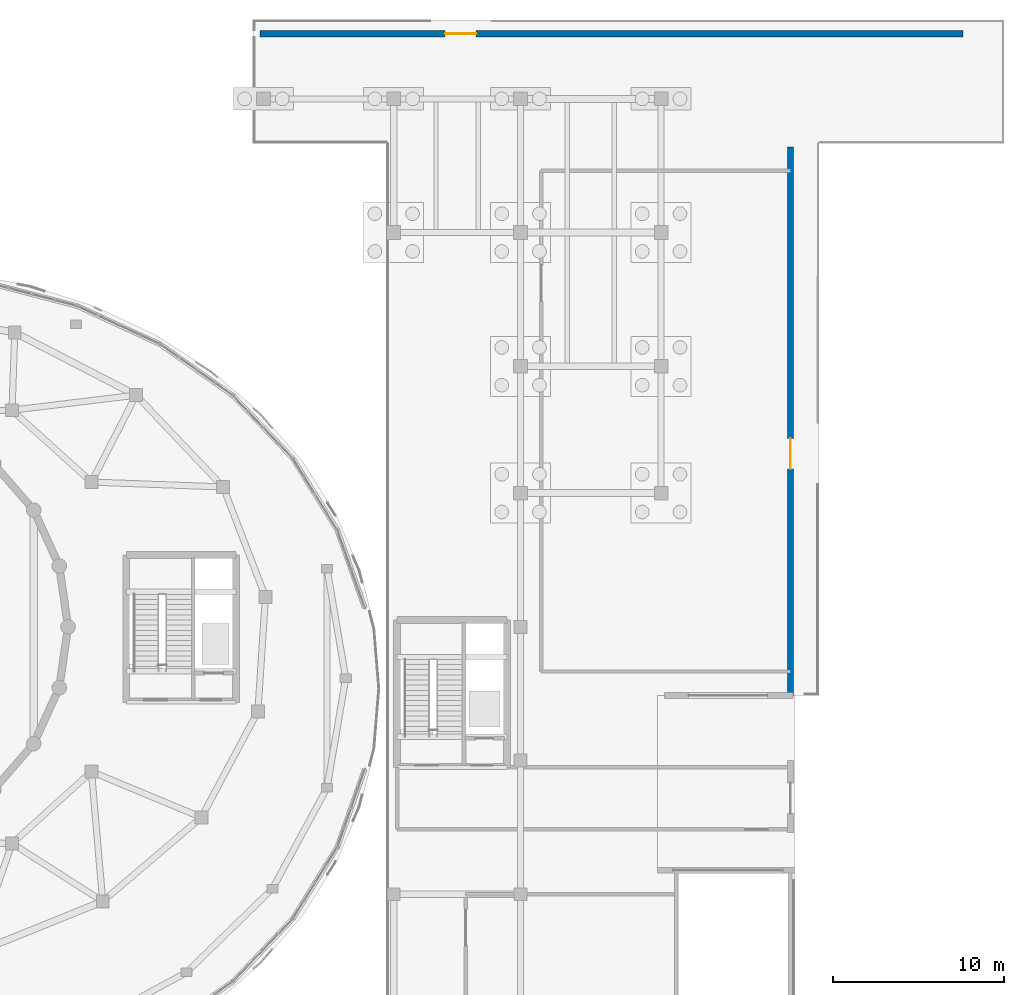
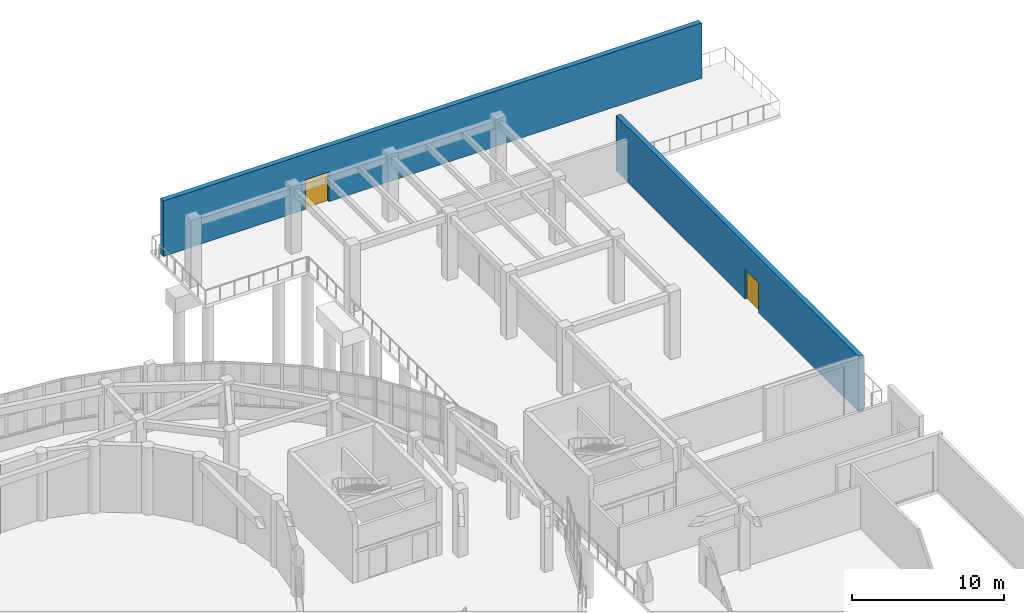
# One storey, part 79 of 96: 2 doors, 2 walls, 2 openings.
"""IFC4 building model written with IfcOpenShell, lengths in metres."""

from ifc_helpers import new_model, si_unit, direction, frame, frame_2d, origin, place, context, subcontext, project, spatial, rectangle, extrude, material, layer, layer_set, type_object, element, fill, save


model = new_model("IFC4")

# Units and contexts
model_context = context("Model", 3, precision=1e-05, world=origin(), true_north=direction((0.0, 1.0)))
body_context = subcontext(model_context, "Body", "Model", "MODEL_VIEW")
ifc_project = project(units=[si_unit("LENGTHUNIT", "METRE"), si_unit("AREAUNIT", "SQUARE_METRE"), si_unit("VOLUMEUNIT", "CUBIC_METRE"), si_unit("PLANEANGLEUNIT", "RADIAN"), si_unit("MASSUNIT", "GRAM", prefix="KILO")], contexts=[model_context])

# Site, building, storey
site_placement = place(None, origin())
site = spatial("IfcSite", under=ifc_project, at=site_placement, CompositionType="ELEMENT")
building_placement = place(site_placement, origin())
building = spatial("IfcBuilding", under=site, at=building_placement, Name="Pelvatis Terrace Science Centre", CompositionType="ELEMENT")
storey_placement = place(building_placement, origin())
storey = spatial("IfcBuildingStorey", under=building, at=storey_placement, Name="L00", CompositionType="ELEMENT", Elevation=0.0)

# Wall, opening, door
ifc_material_1 = material(Name="Polished black Uruguayan granite masonry", Category="masonry")
ifc_layer_1 = layer(ifc_material_1, 0.364990234375)
ifc_layer_set_1 = layer_set([ifc_layer_1], Name="Polished black Uruguayan granite masonry")
wall_type_1 = type_object("IfcWallType", Name="WL-EXT-GRAN-365", PredefinedType="SOLIDWALL", material=ifc_layer_set_1)
wall_1_placement = place(storey_placement, frame((163.949951171875, 113.800048828125, 0.0), z_axis=(0.0, 0.0, 1.0), x_axis=(0.0, -1.0, 0.0)))
wall_1 = element("IfcWall", 1, at=wall_1_placement, inside=storey, type_object=wall_type_1, Name="L00 exterior wall EW-L00-E1", PredefinedType="SOLIDWALL", context=body_context, shape_type="SweptSolid", body=[
    extrude(rectangle(XDim=32.0, YDim=0.364990234375, at=frame_2d((16.0, 0.0))), origin(), (0.0, 0.0, 1.0), 4.4599609375),
])
opening_1_placement = place(wall_1_placement, frame((17.0, 0.0, 0.0)))
opening_1 = element("IfcOpeningElement", 2, at=opening_1_placement, cuts=wall_1, Name="Opening D-010", PredefinedType="OPENING", context=body_context, shape_type="SweptSolid", body=[
    extrude(rectangle(XDim=1.800048828125, YDim=2.39990234375, at=frame_2d((0.89990234375, 1.199951171875))), frame((0.0, 0.1923828125, 0.0), z_axis=(0.0, -1.0, 0.0), x_axis=(1.0, 0.0, 0.0)), (0.0, 0.0, 1.0), 0.385009765625),
])
ifc_material_2 = material(Name="Bronze-framed glazed double exit door", Category="glass")
door_type = type_object("IfcDoorType", Name="DR-EXT-1800x2400", OperationType="NOTDEFINED", PredefinedType="DOOR", material=ifc_material_2)
door_1_placement = place(opening_1_placement, origin())
door_1 = element("IfcDoor", 3, at=door_1_placement, inside=storey, type_object=door_type, Name="East colonnade workshop exit door D-010", OperationType="DOUBLE_DOOR_SINGLE_SWING", OverallHeight=2.39990234375, OverallWidth=1.800048828125, PredefinedType="DOOR", context=body_context, shape_type="SweptSolid", body=[
    extrude(rectangle(XDim=1.800048828125, YDim=2.39990234375, at=frame_2d((0.89990234375, 1.199951171875))), frame((0.0, 0.02490234375, 0.0), z_axis=(0.0, -1.0, 0.0), x_axis=(1.0, 0.0, 0.0)), (0.0, 0.0, 1.0), 0.050048828125),
])
fill(opening_1, door_1)

ifc_material_3 = material(Name="Polished black Uruguayan granite masonry", Category="masonry")
ifc_layer_2 = layer(ifc_material_3, 0.3798828125)
ifc_layer_set_2 = layer_set([ifc_layer_2], Name="Polished black Uruguayan granite masonry")
wall_type_2 = type_object("IfcWallType", Name="WL-EXT-GRAN-380", PredefinedType="SOLIDWALL", material=ifc_layer_set_2)
wall_2_placement = place(storey_placement, frame((133.0, 120.39990234375, 0.0), z_axis=(0.0, 0.0, 1.0), x_axis=(1.0, 0.0, 0.0)))
wall_2 = element("IfcWall", 4, at=wall_2_placement, inside=storey, type_object=wall_type_2, Name="L00 exterior wall EW-L00-N1", PredefinedType="SOLIDWALL", context=body_context, shape_type="SweptSolid", body=[
    extrude(rectangle(XDim=41.0, YDim=0.3798828125, at=frame_2d((20.5, 0.0))), origin(), (0.0, 0.0, 1.0), 4.4599609375),
])
opening_2_placement = place(wall_2_placement, frame((10.800048828125, 0.0, 0.0)))
opening_2 = element("IfcOpeningElement", 5, at=opening_2_placement, cuts=wall_2, Name="Opening D-009", PredefinedType="OPENING", context=body_context, shape_type="SweptSolid", body=[
    extrude(rectangle(XDim=1.800048828125, YDim=2.39990234375, at=frame_2d((0.89990234375, 1.199951171875))), frame((0.0, 0.199951171875, 0.0), z_axis=(0.0, -1.0, 0.0), x_axis=(1.0, 0.0, 0.0)), (0.0, 0.0, 1.0), 0.39990234375),
])
door_2_placement = place(opening_2_placement, origin())
door_2 = element("IfcDoor", 6, at=door_2_placement, inside=storey, type_object=door_type, Name="North portico exit door D-009", OperationType="DOUBLE_DOOR_SINGLE_SWING", OverallHeight=2.39990234375, OverallWidth=1.800048828125, PredefinedType="DOOR", context=body_context, shape_type="SweptSolid", body=[
    extrude(rectangle(XDim=1.800048828125, YDim=2.39990234375, at=frame_2d((0.89990234375, 1.199951171875))), frame((0.0, 0.02490234375, 0.0), z_axis=(0.0, -1.0, 0.0), x_axis=(1.0, 0.0, 0.0)), (0.0, 0.0, 1.0), 0.050048828125),
])
fill(opening_2, door_2)

save(model, "model.ifc")
